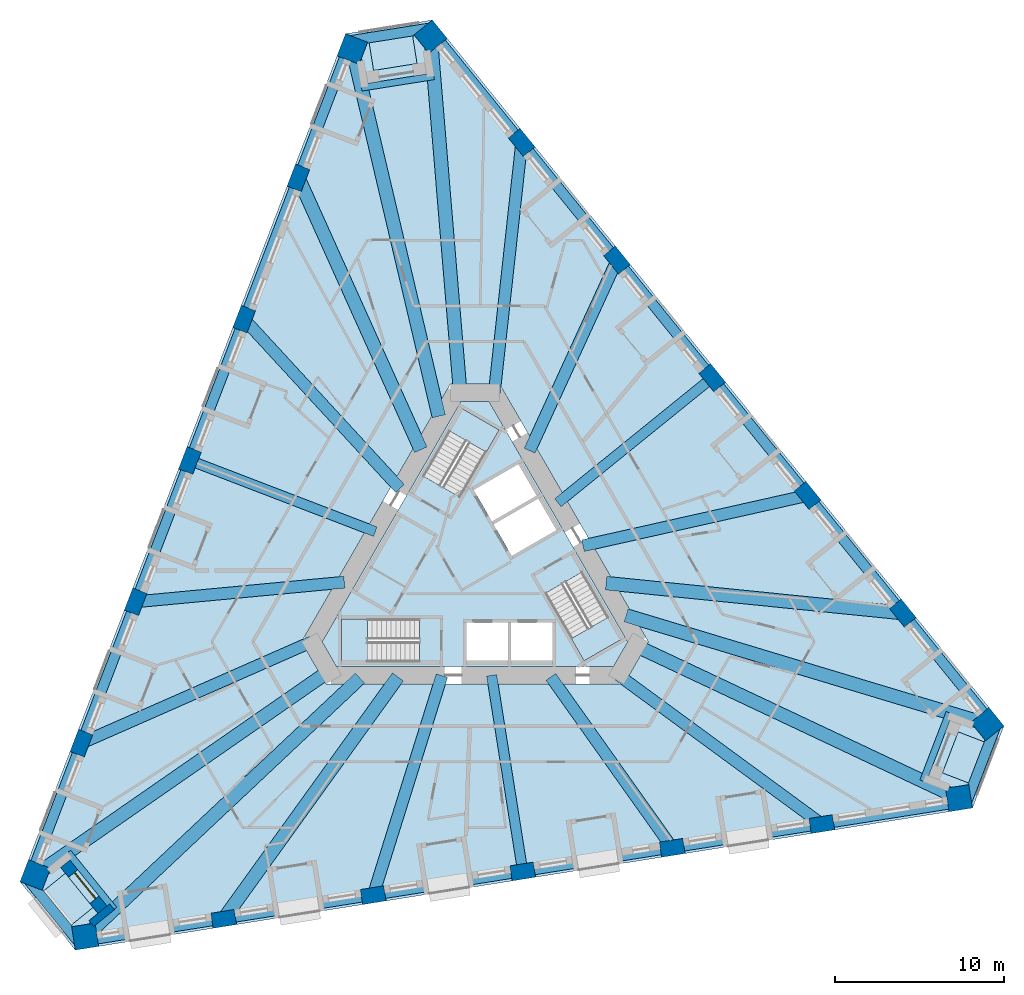
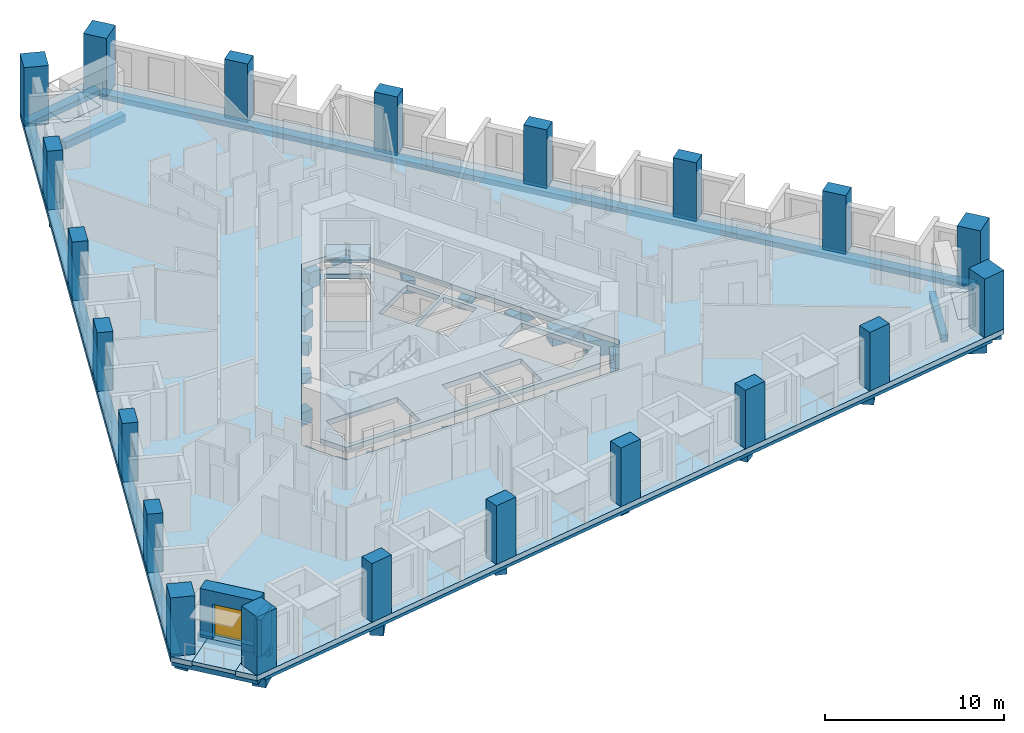
# One storey, part 1 of 14: 30 beams, 21 columns, 8 slabs, 2 walls, 1 door, 1 opening, 3 elements without a shape of their own.
"""IFC4 building model written with IfcOpenShell, lengths in metres."""

from ifc_helpers import new_model, si_unit, direction, frame, frame_2d, origin, origin_2d, place, context, subcontext, project, spatial, polyline, rectangle, outline, extrude, material, layer, layer_set, material_profile, profile_set, type_object, element, fill, aggregate, save


model = new_model("IFC4")

# Units and contexts
model_context = context("Model", 3, precision=1e-05, world=origin(), true_north=direction((0.0, 1.0)))
body_context = subcontext(model_context, "Body", "Model", "MODEL_VIEW")
ifc_project = project(units=[si_unit("LENGTHUNIT", "METRE"), si_unit("AREAUNIT", "SQUARE_METRE"), si_unit("VOLUMEUNIT", "CUBIC_METRE"), si_unit("PLANEANGLEUNIT", "RADIAN"), si_unit("MASSUNIT", "GRAM", prefix="KILO")], contexts=[model_context])

# Site, building, storey
site_placement = place(None, origin())
site = spatial("IfcSite", under=ifc_project, at=site_placement, CompositionType="ELEMENT")
building_placement = place(site_placement, origin())
building = spatial("IfcBuilding", under=site, at=building_placement, Name="Tramontana Tower", CompositionType="ELEMENT")
storey_placement = place(building_placement, frame((0.0, 0.0, 63.199951171875)))
storey = spatial("IfcBuildingStorey", under=building, at=storey_placement, Name="L13", CompositionType="ELEMENT", Elevation=63.199951171875)

# Columns
ifc_material_1 = material(Name="Concrete 70 MPa", Category="concrete")
ifc_material_profile_1 = material_profile(ifc_material_1, rectangle(XDim=1.39990234375, YDim=1.39990234375, at=origin_2d()), Name="Mega column 1400X1400 70 MPa")
ifc_profile_set_1 = profile_set([ifc_material_profile_1], Name="Concrete 70 MPa")
column_type_1 = type_object("IfcColumnType", Name="Mega column 1400X1400 70 MPa", PredefinedType="COLUMN", material=ifc_profile_set_1)
for number, where, z_axis, x_axis, name in (
    (1, (-7.24755859375, 30.7890625, 0.0), (0.0, 0.0, 1.0), (-0.358367949545, -0.933580426497, 0.0), "Mega column C1K1 L13"),
    (2, (-25.98779296875, -18.03125, 0.0), (0.0, 0.0, 1.0), (-0.358367949545, -0.933580426497, 0.0), "Mega column C1K2 L13"),
    (3, (-23.040283203125, -21.671142578125, 0.0), (0.0, 0.0, 1.0), (0.987688340595, 0.15643446504, 0.0), "Mega column C1K3 L13"),
    (4, (28.609375, -13.490478515625, 0.0), (0.0, 0.0, 1.0), (0.987688340595, 0.15643446504, 0.0), "Mega column C1K4 L13"),
    (5, (30.287841796875, -9.117919921875, 0.0), (0.0, 0.0, 1.0), (-0.62932039105, 0.777145961457, 0.0), "Mega column C1K5 L13"),
    (6, (-2.62158203125, 31.521728515625, 0.0), (0.0, 0.0, 1.0), (-0.62932039105, 0.777145961457, 0.0), "Mega column C1K6 L13"),
):
    element("IfcColumn", number, at=place(storey_placement, frame(where, z_axis=z_axis, x_axis=x_axis)), inside=storey, type_object=column_type_1, Name=name, PredefinedType="COLUMN", context=body_context, shape_type="SweptSolid", body=[
        extrude(rectangle(XDim=1.39990234375, YDim=1.39990234375, at=origin_2d()), origin(), (0.0, 0.0, 1.0), 4.0),
    ])
ifc_material_2 = material(Name="Concrete 55 MPa", Category="concrete")
ifc_material_profile_2 = material_profile(ifc_material_2, rectangle(XDim=1.39990234375, YDim=0.89990234375, at=origin_2d()), Name="Pier column 1400X900 55 MPa")
ifc_profile_set_2 = profile_set([ifc_material_profile_2], Name="Concrete 55 MPa")
column_type_2 = type_object("IfcColumnType", Name="Pier column 1400X900 55 MPa", PredefinedType="COLUMN", material=ifc_profile_set_2)
for number, where, z_axis, x_axis, name in (
    (7, (-10.43701171875, 23.177734375, 0.0), (0.0, 0.0, 1.0), (-0.358367949545, -0.933580426497, 0.0), "Pier column C1F01 L13"),
    (8, (-13.64404296875, 14.822998046875, 0.0), (0.0, 0.0, 1.0), (-0.358367949545, -0.933580426497, 0.0), "Pier column C1F02 L13"),
    (9, (-16.85107421875, 6.468505859375, 0.0), (0.0, 0.0, 1.0), (-0.358367949545, -0.933580426497, 0.0), "Pier column C1F03 L13"),
    (10, (-20.05810546875, -1.885986328125, 0.0), (0.0, 0.0, 1.0), (-0.358367949545, -0.933580426497, 0.0), "Pier column C1F04 L13"),
    (11, (-23.26513671875, -10.240478515625, 0.0), (0.0, 0.0, 1.0), (-0.358367949545, -0.933580426497, 0.0), "Pier column C1F05 L13"),
    (12, (-14.853759765625, -20.627685546875, 0.0), (0.0, 0.0, 1.0), (0.987688340595, 0.15643446504, 0.0), "Pier column C1F06 L13"),
    (13, (-6.01513671875, -19.227783203125, 0.0), (0.0, 0.0, 1.0), (0.987688340595, 0.15643446504, 0.0), "Pier column C1F07 L13"),
    (14, (2.82373046875, -17.827880859375, 0.0), (0.0, 0.0, 1.0), (0.987688340595, 0.15643446504, 0.0), "Pier column C1F08 L13"),
    (15, (11.662353515625, -16.427734375, 0.0), (0.0, 0.0, 1.0), (0.987688340595, 0.15643446504, 0.0), "Pier column C1F09 L13"),
    (16, (20.501220703125, -15.02783203125, 0.0), (0.0, 0.0, 1.0), (0.987688340595, 0.15643446504, 0.0), "Pier column C1F10 L13"),
    (17, (25.291015625, -2.550048828125, 0.0), (0.0, 0.0, 1.0), (-0.62932039105, 0.777145961457, 0.0), "Pier column C1F11 L13"),
    (18, (19.6591796875, 4.404541015625, 0.0), (0.0, 0.0, 1.0), (-0.62932039105, 0.777145961457, 0.0), "Pier column C1F12 L13"),
    (19, (14.027587890625, 11.359130859375, 0.0), (0.0, 0.0, 1.0), (-0.62932039105, 0.777145961457, 0.0), "Pier column C1F13 L13"),
    (20, (8.395751953125, 18.31396484375, 0.0), (0.0, 0.0, 1.0), (-0.62932039105, 0.777145961457, 0.0), "Pier column C1F14 L13"),
    (21, (2.763916015625, 25.2685546875, 0.0), (0.0, 0.0, 1.0), (-0.62932039105, 0.777145961457, 0.0), "Pier column C1F15 L13"),
):
    element("IfcColumn", number, at=place(storey_placement, frame(where, z_axis=z_axis, x_axis=x_axis)), inside=storey, type_object=column_type_2, Name=name, PredefinedType="COLUMN", context=body_context, shape_type="SweptSolid", body=[
        extrude(rectangle(XDim=1.39990234375, YDim=0.89990234375, at=origin_2d()), origin(), (0.0, 0.0, 1.0), 4.0),
    ])

# Beams
ifc_material_3 = material(Name="Concrete 40 MPa", Category="concrete")
ifc_material_profile_3 = material_profile(ifc_material_3, rectangle(XDim=0.60009765625, YDim=0.35009765625, at=origin_2d()), Name="RC EDGE BEAM 600X350 40 MPa")
ifc_profile_set_3 = profile_set([ifc_material_profile_3], Name="Concrete 40 MPa")
beam_type_1 = type_object("IfcBeamType", Name="RC EDGE BEAM 600X350 40 MPa", PredefinedType="SPANDREL", material=ifc_profile_set_3)
beam_1_placement = place(storey_placement, frame((-7.48095703125, 30.878662109375, -0.52490234375), z_axis=(-0.358365819965, -0.933581243964, 0.0), x_axis=(0.933581243964, -0.358365819965, 0.0)))
element("IfcBeam", 22, at=beam_1_placement, inside=storey, type_object=beam_type_1, Name="Spandrel beam S0 L13", PredefinedType="SPANDREL", context=body_context, shape_type="SweptSolid", body=[
    extrude(rectangle(XDim=0.60009765625, YDim=0.35009765625, at=origin_2d()), origin(), (0.0, 0.0, 1.0), 52.293701171875),
])
beam_2_placement = place(storey_placement, frame((-23.001220703125, -21.91796875, -0.52490234375), z_axis=(0.987688583718, 0.156432930012, 0.0), x_axis=(-0.156432930012, 0.987688583718, 0.0)))
element("IfcBeam", 23, at=beam_2_placement, inside=storey, type_object=beam_type_1, Name="Spandrel beam S1 L13", PredefinedType="SPANDREL", context=body_context, shape_type="SweptSolid", body=[
    extrude(rectangle(XDim=0.60009765625, YDim=0.35009765625, at=origin_2d()), origin(), (0.0, 0.0, 1.0), 52.29345703125),
])
beam_3_placement = place(storey_placement, frame((30.482177734375, -8.960693359375, -0.52490234375), z_axis=(-0.62931909415, 0.777147011664, 0.0), x_axis=(-0.777147011664, -0.62931909415, 0.0)))
element("IfcBeam", 24, at=beam_3_placement, inside=storey, type_object=beam_type_1, Name="Spandrel beam S2 L13", PredefinedType="SPANDREL", context=body_context, shape_type="SweptSolid", body=[
    extrude(rectangle(XDim=0.60009765625, YDim=0.35009765625, at=origin_2d()), origin(), (0.0, 0.0, 1.0), 52.293701171875),
])
beam_4_placement = place(storey_placement, frame((-2.447509765625, 32.061767578125, -0.52490234375), z_axis=(-0.987692388858, -0.156408903173, 0.0), x_axis=(0.156408903173, -0.987692388858, 0.0)))
element("IfcBeam", 25, at=beam_4_placement, inside=storey, type_object=beam_type_1, Name="Spandrel beam K0 L13", PredefinedType="SPANDREL", context=body_context, shape_type="SweptSolid", body=[
    extrude(rectangle(XDim=0.60009765625, YDim=0.35009765625, at=origin_2d()), origin(), (0.0, 0.0, 1.0), 5.1962890625),
])
for number, where, z_axis, x_axis, name in (
    (26, (-26.54248046875, -18.150634765625, -0.52490234375), (0.629325274503, -0.777142006889, 0.0), (0.777142006889, 0.629325274503, 0.0), "Spandrel beam K1 L13"),
    (27, (28.990234375, -13.9111328125, -0.52490234375), (0.358368174287, 0.933580340227, 0.0), (-0.933580340227, 0.358368174287, 0.0), "Spandrel beam K2 L13"),
):
    element("IfcBeam", number, at=place(storey_placement, frame(where, z_axis=z_axis, x_axis=x_axis)), inside=storey, type_object=beam_type_1, Name=name, PredefinedType="SPANDREL", context=body_context, shape_type="SweptSolid", body=[
        extrude(rectangle(XDim=0.60009765625, YDim=0.35009765625, at=origin_2d()), origin(), (0.0, 0.0, 1.0), 5.196044921875),
    ])
ifc_material_4 = material(Name="Concrete 40 MPa", Category="concrete")
ifc_material_profile_4 = material_profile(ifc_material_4, rectangle(XDim=0.60009765625, YDim=0.699951171875, at=origin_2d()), Name="RC GIRDER 600X700 40 MPa")
ifc_profile_set_4 = profile_set([ifc_material_profile_4], Name="Concrete 40 MPa")
beam_type_2 = type_object("IfcBeamType", Name="RC GIRDER 600X700 40 MPa", PredefinedType="BEAM", material=ifc_profile_set_4)
beam_5_placement = place(storey_placement, frame((-16.85107421875, 6.468505859375, -0.699951171875), z_axis=(0.933580146246, -0.358368679624, 0.0), x_axis=(0.358368679624, 0.933580146246, 0.0)))
element("IfcBeam", 28, at=beam_5_placement, inside=storey, type_object=beam_type_2, Name="Radial girder C1F03 L13", PredefinedType="BEAM", context=body_context, shape_type="SweptSolid", body=[
    extrude(rectangle(XDim=0.60009765625, YDim=0.699951171875, at=origin_2d()), origin(), (0.0, 0.0, 1.0), 11.74072265625),
])
for number, where, z_axis, x_axis, name in (
    (29, (2.823486328125, -17.827880859375, -0.699951171875), (-0.156412100064, 0.9876918826, 0.0), (-0.9876918826, -0.156412100064, 0.0), "Radial girder C1F08 L13"),
    (30, (14.027587890625, 11.359130859375, -0.699951171875), (-0.777154793409, -0.62930948434, 0.0), (0.62930948434, -0.777154793409, 0.0), "Radial girder C1F13 L13"),
):
    element("IfcBeam", number, at=place(storey_placement, frame(where, z_axis=z_axis, x_axis=x_axis)), inside=storey, type_object=beam_type_2, Name=name, PredefinedType="BEAM", context=body_context, shape_type="SweptSolid", body=[
        extrude(rectangle(XDim=0.60009765625, YDim=0.699951171875, at=origin_2d()), origin(), (0.0, 0.0, 1.0), 11.740966796875),
    ])
ifc_material_5 = material(Name="Concrete 40 MPa", Category="concrete")
ifc_material_profile_5 = material_profile(ifc_material_5, rectangle(XDim=0.699951171875, YDim=0.89990234375, at=origin_2d()), Name="RC GIRDER 700X900 40 MPa")
ifc_profile_set_5 = profile_set([ifc_material_profile_5], Name="Concrete 40 MPa")
beam_type_3 = type_object("IfcBeamType", Name="RC GIRDER 700X900 40 MPa", PredefinedType="BEAM", material=ifc_profile_set_5)
beam_6_placement = place(storey_placement, frame((-13.64404296875, 14.822998046875, -0.800048828125), z_axis=(0.677237750705, -0.735764248261, 0.0), x_axis=(0.735764248261, 0.677237750705, 0.0)))
element("IfcBeam", 31, at=beam_6_placement, inside=storey, type_object=beam_type_3, Name="Radial girder C1F02 L13", PredefinedType="BEAM", context=body_context, shape_type="SweptSolid", body=[
    extrude(rectangle(XDim=0.699951171875, YDim=0.89990234375, at=origin_2d()), origin(), (0.0, 0.0, 1.0), 13.598876953125),
])
beam_7_placement = place(storey_placement, frame((-20.05810546875, -1.885986328125, -0.800048828125), z_axis=(0.995608960431, 0.093609817375, 0.0), x_axis=(-0.093609817375, 0.995608960431, 0.0)))
element("IfcBeam", 32, at=beam_7_placement, inside=storey, type_object=beam_type_3, Name="Radial girder C1F04 L13", PredefinedType="BEAM", context=body_context, shape_type="SweptSolid", body=[
    extrude(rectangle(XDim=0.699951171875, YDim=0.89990234375, at=origin_2d()), origin(), (0.0, 0.0, 1.0), 12.3935546875),
])
beam_8_placement = place(storey_placement, frame((-23.26513671875, -10.240478515625, -0.800048828125), z_axis=(0.915262520168, 0.402857939199, 0.0), x_axis=(-0.402857939199, 0.915262520168, 0.0)))
element("IfcBeam", 33, at=beam_8_placement, inside=storey, type_object=beam_type_3, Name="Radial girder C1F05 L13", PredefinedType="BEAM", context=body_context, shape_type="SweptSolid", body=[
    extrude(rectangle(XDim=0.699951171875, YDim=0.89990234375, at=origin_2d()), origin(), (0.0, 0.0, 1.0), 14.87841796875),
])
beam_9_placement = place(storey_placement, frame((-6.01513671875, -19.227783203125, -0.800048828125), z_axis=(0.298567329493, 0.954388573779, 0.0), x_axis=(-0.954388573779, 0.298567329493, 0.0)))
element("IfcBeam", 34, at=beam_9_placement, inside=storey, type_object=beam_type_3, Name="Radial girder C1F07 L13", PredefinedType="BEAM", context=body_context, shape_type="SweptSolid", body=[
    extrude(rectangle(XDim=0.699951171875, YDim=0.89990234375, at=origin_2d()), origin(), (0.0, 0.0, 1.0), 13.599365234375),
])
beam_10_placement = place(storey_placement, frame((11.662353515625, -16.427978515625, -0.800048828125), z_axis=(-0.578872935906, 0.815417760461, 0.0), x_axis=(-0.815417760461, -0.578872935906, 0.0)))
element("IfcBeam", 35, at=beam_10_placement, inside=storey, type_object=beam_type_3, Name="Radial girder C1F09 L13", PredefinedType="BEAM", context=body_context, shape_type="SweptSolid", body=[
    extrude(rectangle(XDim=0.699951171875, YDim=0.89990234375, at=origin_2d()), origin(), (0.0, 0.0, 1.0), 12.3935546875),
])
beam_11_placement = place(storey_placement, frame((20.501220703125, -15.02783203125, -0.800048828125), z_axis=(-0.806528613825, 0.591195056712, 0.0), x_axis=(-0.591195056712, -0.806528613825, 0.0)))
element("IfcBeam", 36, at=beam_11_placement, inside=storey, type_object=beam_type_3, Name="Radial girder C1F10 L13", PredefinedType="BEAM", context=body_context, shape_type="SweptSolid", body=[
    extrude(rectangle(XDim=0.699951171875, YDim=0.89990234375, at=origin_2d()), origin(), (0.0, 0.0, 1.0), 14.878662109375),
])
beam_12_placement = place(storey_placement, frame((19.6591796875, 4.404541015625, -0.800048828125), z_axis=(-0.975807938002, -0.218629522556, 0.0), x_axis=(0.218629522556, -0.975807938002, 0.0)))
element("IfcBeam", 37, at=beam_12_placement, inside=storey, type_object=beam_type_3, Name="Radial girder C1F12 L13", PredefinedType="BEAM", context=body_context, shape_type="SweptSolid", body=[
    extrude(rectangle(XDim=0.699951171875, YDim=0.89990234375, at=origin_2d()), origin(), (0.0, 0.0, 1.0), 13.59912109375),
])
beam_13_placement = place(storey_placement, frame((8.395751953125, 18.31396484375, -0.800048828125), z_axis=(-0.416724572993, -0.909032799333, 0.0), x_axis=(0.909032799333, -0.416724572993, 0.0)))
element("IfcBeam", 38, at=beam_13_placement, inside=storey, type_object=beam_type_3, Name="Radial girder C1F14 L13", PredefinedType="BEAM", context=body_context, shape_type="SweptSolid", body=[
    extrude(rectangle(XDim=0.699951171875, YDim=0.89990234375, at=origin_2d()), origin(), (0.0, 0.0, 1.0), 12.393798828125),
])
beam_14_placement = place(storey_placement, frame((2.763916015625, 25.2685546875, -0.800048828125), z_axis=(-0.108724057734, -0.994071968858, 0.0), x_axis=(0.994071968858, -0.108724057734, 0.0)))
element("IfcBeam", 39, at=beam_14_placement, inside=storey, type_object=beam_type_3, Name="Radial girder C1F15 L13", PredefinedType="BEAM", context=body_context, shape_type="SweptSolid", body=[
    extrude(rectangle(XDim=0.699951171875, YDim=0.89990234375, at=origin_2d()), origin(), (0.0, 0.0, 1.0), 14.878662109375),
])
ifc_material_6 = material(Name="Concrete 40 MPa", Category="concrete")
ifc_material_profile_6 = material_profile(ifc_material_6, rectangle(XDim=0.800048828125, YDim=1.10009765625, at=origin_2d()), Name="RC GIRDER 800X1100 40 MPa")
ifc_profile_set_6 = profile_set([ifc_material_profile_6], Name="Concrete 40 MPa")
beam_type_4 = type_object("IfcBeamType", Name="RC GIRDER 800X1100 40 MPa", PredefinedType="BEAM", material=ifc_profile_set_6)
beam_15_placement = place(storey_placement, frame((-7.24755859375, 30.7890625, -0.89990234375), z_axis=(0.229129631405, -0.973395917401, 0.0), x_axis=(0.973395917401, 0.229129631405, 0.0)))
element("IfcBeam", 40, at=beam_15_placement, inside=storey, type_object=beam_type_4, Name="Radial girder C1K1 L13", PredefinedType="BEAM", context=body_context, shape_type="SweptSolid", body=[
    extrude(rectangle(XDim=0.800048828125, YDim=1.10009765625, at=origin_2d()), origin(), (0.0, 0.0, 1.0), 22.30322265625),
])
beam_16_placement = place(storey_placement, frame((-10.43701171875, 23.177490234375, -0.89990234375), z_axis=(0.410600793892, -0.91181521596, 0.0), x_axis=(0.91181521596, 0.410600793892, 0.0)))
element("IfcBeam", 41, at=beam_16_placement, inside=storey, type_object=beam_type_4, Name="Radial girder C1F01 L13", PredefinedType="BEAM", context=body_context, shape_type="SweptSolid", body=[
    extrude(rectangle(XDim=0.800048828125, YDim=1.10009765625, at=origin_2d()), origin(), (0.0, 0.0, 1.0), 17.626220703125),
])
beam_17_placement = place(storey_placement, frame((-25.98779296875, -18.03125, -0.89990234375), z_axis=(0.821603252741, 0.570059729402, 0.0), x_axis=(-0.570059729402, 0.821603252741, 0.0)))
element("IfcBeam", 42, at=beam_17_placement, inside=storey, type_object=beam_type_4, Name="Radial girder C1K2 L13", PredefinedType="BEAM", context=body_context, shape_type="SweptSolid", body=[
    extrude(rectangle(XDim=0.800048828125, YDim=1.10009765625, at=origin_2d()), origin(), (0.0, 0.0, 1.0), 21.11767578125),
])
beam_18_placement = place(storey_placement, frame((-23.040283203125, -21.671142578125, -0.89990234375), z_axis=(0.728416554247, 0.685134529489, 0.0), x_axis=(-0.685134529489, 0.728416554247, 0.0)))
element("IfcBeam", 43, at=beam_18_placement, inside=storey, type_object=beam_type_4, Name="Radial girder C1K3 L13", PredefinedType="BEAM", context=body_context, shape_type="SweptSolid", body=[
    extrude(rectangle(XDim=0.800048828125, YDim=1.10009765625, at=origin_2d()), origin(), (0.0, 0.0, 1.0), 22.30322265625),
])
beam_19_placement = place(storey_placement, frame((-14.85400390625, -20.627685546875, -0.89990234375), z_axis=(0.584356173005, 0.81149729702, 0.0), x_axis=(-0.81149729702, 0.584356173005, 0.0)))
element("IfcBeam", 44, at=beam_19_placement, inside=storey, type_object=beam_type_4, Name="Radial girder C1F06 L13", PredefinedType="BEAM", context=body_context, shape_type="SweptSolid", body=[
    extrude(rectangle(XDim=0.800048828125, YDim=1.10009765625, at=origin_2d()), origin(), (0.0, 0.0, 1.0), 17.626220703125),
])
beam_20_placement = place(storey_placement, frame((28.609375, -13.490478515625, -0.89990234375), z_axis=(-0.904488564757, 0.426497873645, 0.0), x_axis=(-0.426497873645, -0.904488564757, 0.0)))
element("IfcBeam", 45, at=beam_20_placement, inside=storey, type_object=beam_type_4, Name="Radial girder C1K4 L13", PredefinedType="BEAM", context=body_context, shape_type="SweptSolid", body=[
    extrude(rectangle(XDim=0.800048828125, YDim=1.10009765625, at=origin_2d()), origin(), (0.0, 0.0, 1.0), 21.11767578125),
])
beam_21_placement = place(storey_placement, frame((30.287841796875, -9.117919921875, -0.89990234375), z_axis=(-0.957551991149, 0.288260618619, 0.0), x_axis=(-0.288260618619, -0.957551991149, 0.0)))
element("IfcBeam", 46, at=beam_21_placement, inside=storey, type_object=beam_type_4, Name="Radial girder C1K5 L13", PredefinedType="BEAM", context=body_context, shape_type="SweptSolid", body=[
    extrude(rectangle(XDim=0.800048828125, YDim=1.10009765625, at=origin_2d()), origin(), (0.0, 0.0, 1.0), 22.303466796875),
])
beam_22_placement = place(storey_placement, frame((25.291015625, -2.550048828125, -0.89990234375), z_axis=(-0.99495498196, 0.100322399654, 0.0), x_axis=(-0.100322399654, -0.99495498196, 0.0)))
element("IfcBeam", 47, at=beam_22_placement, inside=storey, type_object=beam_type_4, Name="Radial girder C1F11 L13", PredefinedType="BEAM", context=body_context, shape_type="SweptSolid", body=[
    extrude(rectangle(XDim=0.800048828125, YDim=1.10009765625, at=origin_2d()), origin(), (0.0, 0.0, 1.0), 17.626220703125),
])
beam_23_placement = place(storey_placement, frame((-2.62158203125, 31.521728515625, -0.89990234375), z_axis=(0.082880913658, -0.996559458412, 0.0), x_axis=(0.996559458412, 0.082880913658, 0.0)))
element("IfcBeam", 48, at=beam_23_placement, inside=storey, type_object=beam_type_4, Name="Radial girder C1K6 L13", PredefinedType="BEAM", context=body_context, shape_type="SweptSolid", body=[
    extrude(rectangle(XDim=0.800048828125, YDim=1.10009765625, at=origin_2d()), origin(), (0.0, 0.0, 1.0), 21.11767578125),
])
ifc_material_7 = material(Name="Concrete 40 MPa", Category="concrete")
ifc_material_profile_7 = material_profile(ifc_material_7, rectangle(XDim=0.39990234375, YDim=0.5, at=origin_2d()), Name="RC TRIM BEAM 400X500 40 MPa")
ifc_profile_set_7 = profile_set([ifc_material_profile_7], Name="Concrete 40 MPa")
beam_type_5 = type_object("IfcBeamType", Name="RC TRIM BEAM 400X500 40 MPa", PredefinedType="JOIST", material=ifc_profile_set_7)
for number, where, z_axis, x_axis, name in (
    (49, (-2.4267578125, 29.1796875, -0.599853515625), (-0.987688889444, -0.156430999708, 0.0), (0.156430999708, -0.987688889444, 0.0), "Trimmer beam K0 L13"),
    (50, (-24.056884765625, -16.69140625, -0.599853515625), (0.629326191545, -0.777141264273, 0.0), (0.777141264273, 0.629326191545, 0.0), "Trimmer beam K1 L13"),
    (51, (26.483642578125, -12.48828125, -0.599853515625), (0.358345094406, 0.933589199442, 0.0), (-0.933589199442, 0.358345094406, 0.0), "Trimmer beam K2 L13"),
):
    element("IfcBeam", number, at=place(storey_placement, frame(where, z_axis=z_axis, x_axis=x_axis)), inside=storey, type_object=beam_type_5, Name=name, PredefinedType="JOIST", context=body_context, shape_type="SweptSolid", body=[
        extrude(rectangle(XDim=0.39990234375, YDim=0.5, at=origin_2d()), origin(), (0.0, 0.0, 1.0), 4.335693359375),
    ])

# Slabs
ifc_material_8 = material(Name="Precast concrete 50 MPa", Category="concrete")
ifc_layer_1 = layer(ifc_material_8, 0.25)
ifc_layer_set_1 = layer_set([ifc_layer_1], Name="LT1 Loggia floor tray 250")
slab_type_1 = type_object("IfcSlabType", Name="LT1 Loggia floor tray 250", PredefinedType="FLOOR", material=ifc_layer_set_1)
slab_1_placement = place(storey_placement, frame((0.0, 0.0, -0.25)))
element("IfcSlab", 52, at=slab_1_placement, inside=storey, type_object=slab_type_1, Name="Corner loggia floor L13 K10", PredefinedType="FLOOR", context=body_context, shape_type="SweptSolid", body=[
    extrude(outline(polyline([(-3.800048828125, 32.30322265625), (-3.424560546875, 29.932861328125), (-5.99267578125, 29.526123046875), (-6.3681640625, 31.896484375), (-3.800048828125, 32.30322265625)])), origin(), (0.0, 0.0, 1.0), 0.25),
])
slab_2_placement = place(storey_placement, frame((0.0, 0.0, -0.25)))
element("IfcSlab", 53, at=slab_2_placement, inside=storey, type_object=slab_type_1, Name="Corner loggia floor L13 K11", PredefinedType="FLOOR", context=body_context, shape_type="SweptSolid", body=[
    extrude(outline(polyline([(-26.075439453125, -19.442626953125), (-24.210205078125, -17.932373046875), (-22.573974609375, -19.952880859375), (-24.439208984375, -21.463134765625), (-26.075439453125, -19.442626953125)])), origin(), (0.0, 0.0, 1.0), 0.25),
])
slab_3_placement = place(storey_placement, frame((0.0, 0.0, -0.25)))
element("IfcSlab", 54, at=slab_3_placement, inside=storey, type_object=slab_type_1, Name="Corner loggia floor L13 K12", PredefinedType="FLOOR", context=body_context, shape_type="SweptSolid", body=[
    extrude(outline(polyline([(29.87548828125, -12.860595703125), (27.635009765625, -12.00048828125), (28.566650390625, -9.5732421875), (30.80712890625, -10.433349609375), (29.87548828125, -12.860595703125)])), origin(), (0.0, 0.0, 1.0), 0.25),
])
ifc_material_9 = material(Name="Concrete 40 MPa", Category="concrete")
ifc_layer_2 = layer(ifc_material_9, 0.35009765625)
ifc_layer_set_2 = layer_set([ifc_layer_2], Name="PT FLAT SLAB 350 40 MPa")
slab_type_2 = type_object("IfcSlabType", Name="PT FLAT SLAB 350 40 MPa", PredefinedType="FLOOR", material=ifc_layer_set_2)
slab_4_placement = place(storey_placement, frame((0.0, 0.0, -0.349853515625)))
element("IfcSlab", 55, at=slab_4_placement, inside=storey, type_object=slab_type_2, Name="Floor slab L13", PredefinedType="FLOOR", context=body_context, shape_type="SweptSolid", body=[
    extrude(outline(polyline([(30.80712890625, -10.433349609375), (28.566650390625, -9.5732421875), (27.635009765625, -12.00048828125), (29.87548828125, -12.860595703125), (29.410400390625, -14.072509765625), (-23.622314453125, -22.471923828125), (-24.439208984375, -21.463134765625), (-22.573974609375, -19.952880859375), (-24.210205078125, -17.932373046875), (-26.075439453125, -19.442626953125), (-26.892333984375, -18.433837890625), (-7.650146484375, 31.693359375), (-6.3681640625, 31.896484375), (-5.99267578125, 29.526123046875), (-3.4248046875, 29.932861328125), (-3.800048828125, 32.30322265625), (-2.51806640625, 32.50634765625), (31.2724609375, -9.221435546875), (30.80712890625, -10.433349609375)]), holes=[polyline([(-10.248046875, -4.25), (-8.8046875, -6.75), (8.8046875, -6.75), (10.248046875, -4.25), (1.443359375, 11.0), (-1.443359375, 11.0), (-10.248046875, -4.25)])]), origin(), (0.0, 0.0, 1.0), 0.349853515625),
])
slab_5_placement = place(storey_placement, frame((0.0, 0.0, -0.349853515625)))
element("IfcSlab", 56, at=slab_5_placement, inside=storey, type_object=slab_type_2, Name="Core floor slab L13", PredefinedType="FLOOR", context=body_context, shape_type="SweptSolid", body=[
    extrude(outline(polyline([(9.035400390625, -4.25), (8.198486328125, -5.699951171875), (-8.198486328125, -5.699951171875), (-9.035400390625, -4.25), (-0.837158203125, 9.949951171875), (0.837158203125, 9.949951171875), (9.035400390625, -4.25)]), holes=[polyline([(8.659912109375, -4.099365234375), (6.35986328125, -0.115478515625), (4.151611328125, -1.390625), (6.451416015625, -5.374267578125), (8.659912109375, -4.099365234375)]), polyline([(3.829833984375, 4.2666015625), (1.101806640625, 2.69140625), (2.177001953125, 0.82958984375), (4.90478515625, 2.404541015625), (3.829833984375, 4.2666015625)]), polyline([(4.590087890625, -3.10009765625), (2.139892578125, -3.10009765625), (2.139892578125, -5.449951171875), (4.590087890625, -5.449951171875), (4.590087890625, -3.10009765625)]), polyline([(2.65478515625, 6.3017578125), (-0.072998046875, 4.726806640625), (1.001953125, 2.86474609375), (3.729736328125, 4.439697265625), (2.65478515625, 6.3017578125)]), polyline([(1.93994140625, -5.449951171875), (1.93994140625, -3.10009765625), (-0.510009765625, -3.10009765625), (-0.510009765625, -5.449951171875), (1.93994140625, -5.449951171875)]), polyline([(-0.77978515625, 9.54931640625), (-3.079833984375, 5.565673828125), (-0.87158203125, 4.29052734375), (1.428466796875, 8.2744140625), (-0.77978515625, 9.54931640625)]), polyline([(-7.8798828125, -5.449951171875), (-3.280029296875, -5.449951171875), (-3.280029296875, -2.89990234375), (-7.8798828125, -2.89990234375), (-7.8798828125, -5.449951171875)])]), origin(), (0.0, 0.0, 1.0), 0.349853515625),
])

# Stair, slab
ifc_material_10 = material(Name="Concrete 40 MPa", Category="concrete")
stair_type = type_object("IfcStairType", Name="EXIT STAIR 24 RISERS", PredefinedType="HALF_TURN_STAIR", material=ifc_material_10)
stair_1_placement = place(storey_placement, origin())
stair_1 = element("IfcStair", 57, at=stair_1_placement, inside=storey, type_object=stair_type, Name="L13 Exit stair ST1", PredefinedType="HALF_TURN_STAIR")
ifc_material_11 = material(Name="Concrete 40 MPa", Category="concrete")
ifc_layer_3 = layer(ifc_material_11, 0.199951171875)
ifc_layer_set_3 = layer_set([ifc_layer_3], Name="STAIR LANDING 200")
slab_type_3 = type_object("IfcSlabType", Name="STAIR LANDING 200", PredefinedType="LANDING", material=ifc_layer_set_3)
slab_6_placement = place(storey_placement, frame((0.0, 0.0, 1.800048828125)))
slab_6 = element("IfcSlab", 58, at=slab_6_placement, type_object=slab_type_3, Name="ST1 landing 1", PredefinedType="LANDING", context=body_context, shape_type="SweptSolid", body=[
    extrude(outline(polyline([(0.66845703125, 6.9580078125), (1.428466796875, 8.274169921875), (-0.77978515625, 9.54931640625), (-1.539794921875, 8.23291015625), (0.66845703125, 6.9580078125)])), origin(), (0.0, 0.0, 1.0), 0.199951171875),
])
aggregate(stair_1, [slab_6])

stair_2_placement = place(storey_placement, origin())
stair_2 = element("IfcStair", 59, at=stair_2_placement, inside=storey, type_object=stair_type, Name="L13 Exit stair ST2", PredefinedType="HALF_TURN_STAIR")
slab_7_placement = place(storey_placement, frame((0.0, 0.0, 1.800048828125)))
slab_7 = element("IfcSlab", 60, at=slab_7_placement, type_object=slab_type_3, Name="ST2 landing 1", PredefinedType="LANDING", context=body_context, shape_type="SweptSolid", body=[
    extrude(outline(polyline([(-6.360107421875, -2.89990234375), (-7.8798828125, -2.89990234375), (-7.8798828125, -5.449951171875), (-6.360107421875, -5.449951171875), (-6.360107421875, -2.89990234375)])), origin(), (0.0, 0.0, 1.0), 0.199951171875),
])
aggregate(stair_2, [slab_7])

stair_3_placement = place(storey_placement, origin())
stair_3 = element("IfcStair", 61, at=stair_3_placement, inside=storey, type_object=stair_type, Name="L13 Exit stair ST3", PredefinedType="HALF_TURN_STAIR")
slab_8_placement = place(storey_placement, frame((0.0, 0.0, 1.800048828125)))
slab_8 = element("IfcSlab", 62, at=slab_8_placement, type_object=slab_type_3, Name="ST3 landing 1", PredefinedType="LANDING", context=body_context, shape_type="SweptSolid", body=[
    extrude(outline(polyline([(5.69140625, -4.057861328125), (6.451416015625, -5.374267578125), (8.659912109375, -4.099365234375), (7.89990234375, -2.782958984375), (5.69140625, -4.057861328125)])), origin(), (0.0, 0.0, 1.0), 0.199951171875),
])
aggregate(stair_3, [slab_8])

# Wall
ifc_material_12 = material(Name="Precast concrete 60 MPa", Category="concrete")
ifc_layer_4 = layer(ifc_material_12, 0.449951171875)
ifc_layer_set_4 = layer_set([ifc_layer_4], Name="Precast concrete 60 MPa, 450 mm")
wall_type_1 = type_object("IfcWallType", Name="EW1 Stone-faced precast wall 450", PredefinedType="SOLIDWALL", material=ifc_layer_set_4)
wall_1_placement = place(storey_placement, frame((-22.677001953125, -20.90478515625, 0.0), z_axis=(0.0, 0.0, 1.0), x_axis=(0.777205264571, 0.629247150747, 0.0)))
element("IfcWall", 63, at=wall_1_placement, inside=storey, type_object=wall_type_1, Name="Corner loggia side wall L13 K11l", PredefinedType="SOLIDWALL", context=body_context, shape_type="SweptSolid", body=[
    extrude(rectangle(XDim=1.5791015625, YDim=0.449951171875, at=frame_2d((0.78955078125, 0.0))), origin(), (0.0, 0.0, 1.0), 2.550048828125),
])

# Wall, opening, door
ifc_material_13 = material(Name="Precast concrete 60 MPa", Category="concrete")
ifc_layer_5 = layer(ifc_material_13, 0.89990234375)
ifc_layer_set_5 = layer_set([ifc_layer_5], Name="EW2 Stone-faced corner loggia wall 900")
wall_type_2 = type_object("IfcWallType", Name="EW2 Stone-faced corner loggia wall 900", PredefinedType="SOLIDWALL", material=ifc_layer_set_5)
wall_2_placement = place(storey_placement, frame((-21.941162109375, -20.019287109375, 0.0), z_axis=(0.0, 0.0, 1.0), x_axis=(-0.629328651904, 0.777139271876, 0.0)))
wall_2 = element("IfcWall", 64, at=wall_2_placement, inside=storey, type_object=wall_type_2, Name="Corner loggia wall L13 K11", PredefinedType="SOLIDWALL", context=body_context, shape_type="SweptSolid", body=[
    extrude(rectangle(XDim=3.5, YDim=0.89990234375, at=frame_2d((1.75, 0.0))), origin(), (0.0, 0.0, 1.0), 3.300048828125),
])
opening_placement = place(wall_2_placement, frame((0.75, 0.0, 0.0)))
opening = element("IfcOpeningElement", 65, at=opening_placement, cuts=wall_2, Name="Opening BD-11C", PredefinedType="OPENING", context=body_context, shape_type="SweptSolid", body=[
    extrude(rectangle(XDim=2.0, YDim=2.39990234375, at=frame_2d((1.0, 1.199951171875))), frame((0.0, 0.4599609375, 0.0), z_axis=(0.0, -1.0, 0.0), x_axis=(1.0, 0.0, 0.0)), (0.0, 0.0, 1.0), 0.919921875),
])
ifc_material_14 = material(Name="Aluminum frame, double glazing unit", Category="aluminium")
door_type = type_object("IfcDoorType", Name="BC1 Sliding door 2 x 2.4", OperationType="SLIDING_TO_LEFT", PredefinedType="DOOR", material=ifc_material_14)
door_placement = place(opening_placement, origin())
door = element("IfcDoor", 66, at=door_placement, inside=storey, type_object=door_type, Name="Corner loggia door L13 K11", OperationType="SLIDING_TO_LEFT", OverallHeight=2.39990234375, OverallWidth=2.0, PredefinedType="DOOR", context=body_context, shape_type="SweptSolid", body=[
    extrude(rectangle(XDim=2.0, YDim=2.39990234375, at=frame_2d((1.0, 1.199951171875))), frame((0.0, 0.02490234375, 0.0), z_axis=(0.0, -1.0, 0.0), x_axis=(1.0, 0.0, 0.0)), (0.0, 0.0, 1.0), 0.050048828125),
])
fill(opening, door)

save(model, "model.ifc")
